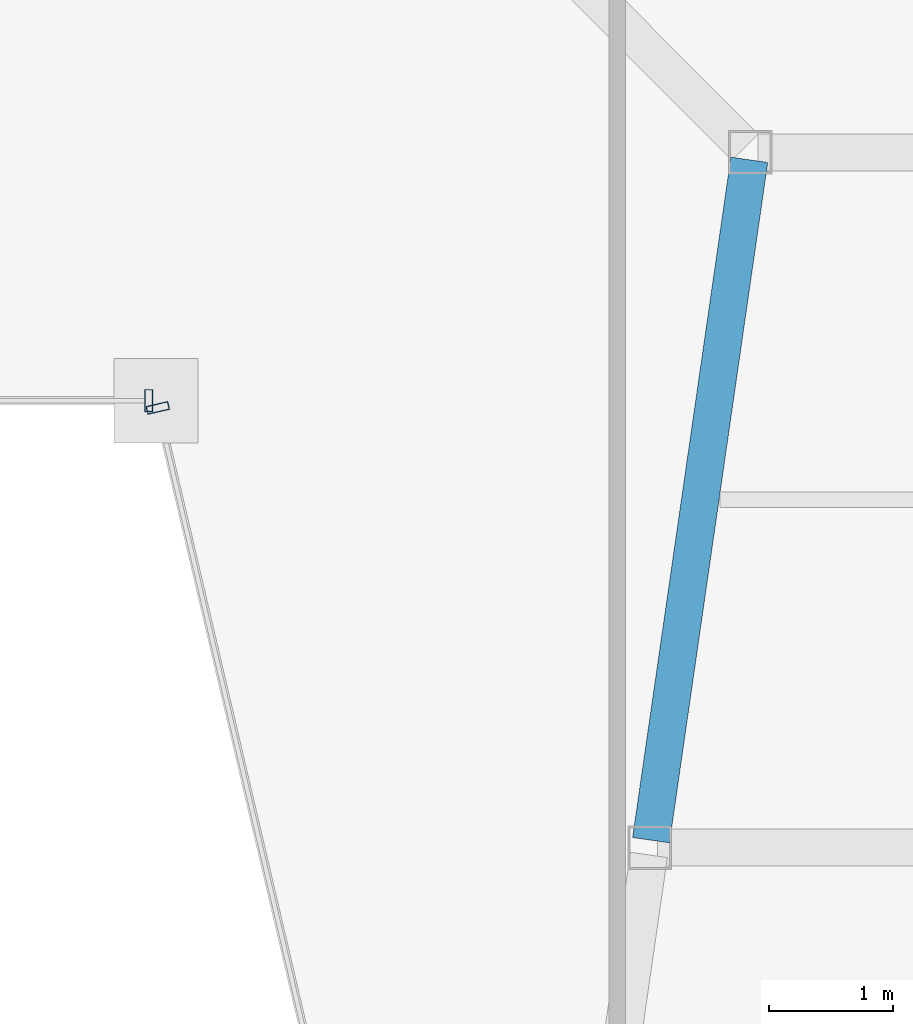
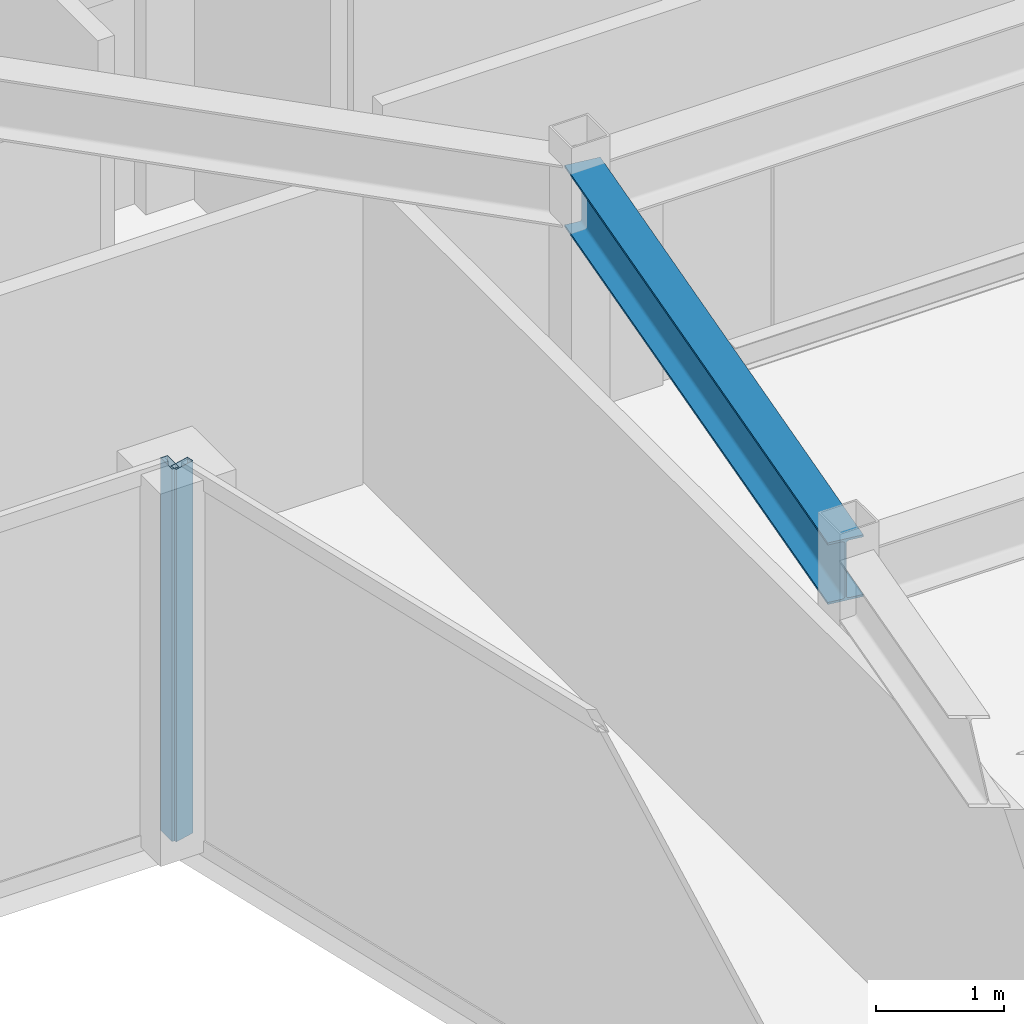
# One storey, part 15 of 32: 2 members, 1 beam, 2 elements without a shape of their own.
"""IFC4 building model written with IfcOpenShell, lengths in metres."""

from ifc_helpers import new_model, si_unit, direction, frame, origin, origin_2d, place, context, subcontext, project, spatial, hollow_rectangle, i_section, extrude, material, material_profile, profile_set, type_object, element, aggregate, save


model = new_model("IFC4")

# Units and contexts
model_context = context("Model", 3, precision=1e-05, world=origin(), true_north=direction((0.0, 1.0)))
body_context = subcontext(model_context, "Body", "Model", "MODEL_VIEW")
ifc_project = project(units=[si_unit("LENGTHUNIT", "METRE"), si_unit("AREAUNIT", "SQUARE_METRE"), si_unit("VOLUMEUNIT", "CUBIC_METRE"), si_unit("PLANEANGLEUNIT", "RADIAN"), si_unit("MASSUNIT", "GRAM", prefix="KILO")], contexts=[model_context])

# Site, building, storey
site_placement = place(None, origin())
site = spatial("IfcSite", under=ifc_project, at=site_placement, CompositionType="ELEMENT")
building_placement = place(site_placement, origin())
building = spatial("IfcBuilding", under=site, at=building_placement, Name="Saevonmaru Cultural Tower", CompositionType="ELEMENT")
storey_placement = place(building_placement, frame((0.0, 0.0, 261.0)))
storey = spatial("IfcBuildingStorey", under=building, at=storey_placement, Name="L61", CompositionType="ELEMENT", Elevation=261.0)

# Beam
ifc_material_1 = material(Name="Steel SM355", Category="steel")
ifc_material_profile_1 = material_profile(ifc_material_1, i_section(OverallWidth=0.300048828125, OverallDepth=0.587890625, WebThickness=0.011962890625, FlangeThickness=0.02001953125, FilletRadius=0.02392578125, at=origin_2d()), Name="H-588x300x12x20")
ifc_profile_set_1 = profile_set([ifc_material_profile_1], Name="Steel SM355")
beam_type = type_object("IfcBeamType", Name="BM-G-H588", PredefinedType="BEAM", material=ifc_profile_set_1)
beam_placement = place(storey_placement, frame((40.3916015625, 32.059326171875, 3.256103515625), z_axis=(0.142964121327, 0.989727871697, 0.0), x_axis=(-0.989727871697, 0.142964121327, 0.0)))
element("IfcBeam", 1, at=beam_placement, inside=storey, type_object=beam_type, Name="L61 East Atrium Girder 2", PredefinedType="BEAM", context=body_context, shape_type="SweptSolid", body=[
    extrude(i_section(OverallWidth=0.300048828125, OverallDepth=0.587890625, WebThickness=0.011962890625, FlangeThickness=0.02001953125, FilletRadius=0.02392578125, at=origin_2d()), origin(), (0.0, 0.0, 1.0), 5.5380859375),
])

# Curtain wall, member
ifc_material_2 = material(Name="Satin Bronze Anodised Aluminium", Category="aluminium")
curtain_wall_type = type_object("IfcCurtainWallType", Name="CW-TYP-B", PredefinedType="NOTDEFINED", material=ifc_material_2)
curtain_wall_1_placement = place(storey_placement, origin())
curtain_wall_1 = element("IfcCurtainWall", 2, at=curtain_wall_1_placement, inside=storey, type_object=curtain_wall_type, Name="L61 Unitised Curtain Wall E4", PredefinedType="NOTDEFINED")
ifc_material_profile_2 = material_profile(ifc_material_2, hollow_rectangle(XDim=0.06494140625, YDim=0.179931640625, WallThickness=0.00390625, at=origin_2d()), Name="ALU-MULL-180x65x4")
ifc_profile_set_2 = profile_set([ifc_material_profile_2], Name="Satin Bronze Anodised Aluminium")
member_type = type_object("IfcMemberType", Name="ML-CW-180x65", PredefinedType="MULLION", material=ifc_profile_set_2)
member_1_placement = place(storey_placement, frame((36.344482421875, 35.60009765625, 0.0), z_axis=(0.0, 0.0, 1.0), x_axis=(1.0, 0.0, 0.0)))
member_1 = element("IfcMember", 3, at=member_1_placement, type_object=member_type, Name="CW-TW-L61-E4 mullion 2", PredefinedType="MULLION", context=body_context, shape_type="SweptSolid", body=[
    extrude(hollow_rectangle(XDim=0.06494140625, YDim=0.179931640625, WallThickness=0.00390625, at=origin_2d()), origin(), (0.0, 0.0, 1.0), 3.550048828125),
])
aggregate(curtain_wall_1, [member_1])

curtain_wall_2_placement = place(storey_placement, origin())
curtain_wall_2 = element("IfcCurtainWall", 4, at=curtain_wall_2_placement, inside=storey, type_object=curtain_wall_type, Name="L61 Unitised Curtain Wall E5", PredefinedType="NOTDEFINED")
member_2_placement = place(storey_placement, frame((36.418212890625, 35.54150390625, 0.0), z_axis=(0.0, 0.0, 1.0), x_axis=(0.228189509449, -0.973616735568, 0.0)))
member_2 = element("IfcMember", 5, at=member_2_placement, type_object=member_type, Name="CW-TW-L61-E5 mullion 1", PredefinedType="MULLION", context=body_context, shape_type="SweptSolid", body=[
    extrude(hollow_rectangle(XDim=0.06494140625, YDim=0.179931640625, WallThickness=0.00390625, at=origin_2d()), origin(), (0.0, 0.0, 1.0), 3.550048828125),
])
aggregate(curtain_wall_2, [member_2])

save(model, "model.ifc")
